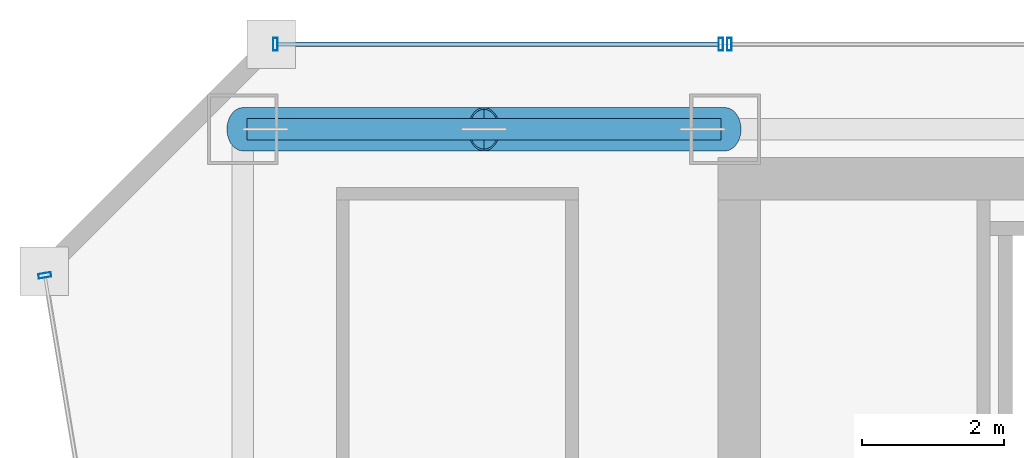
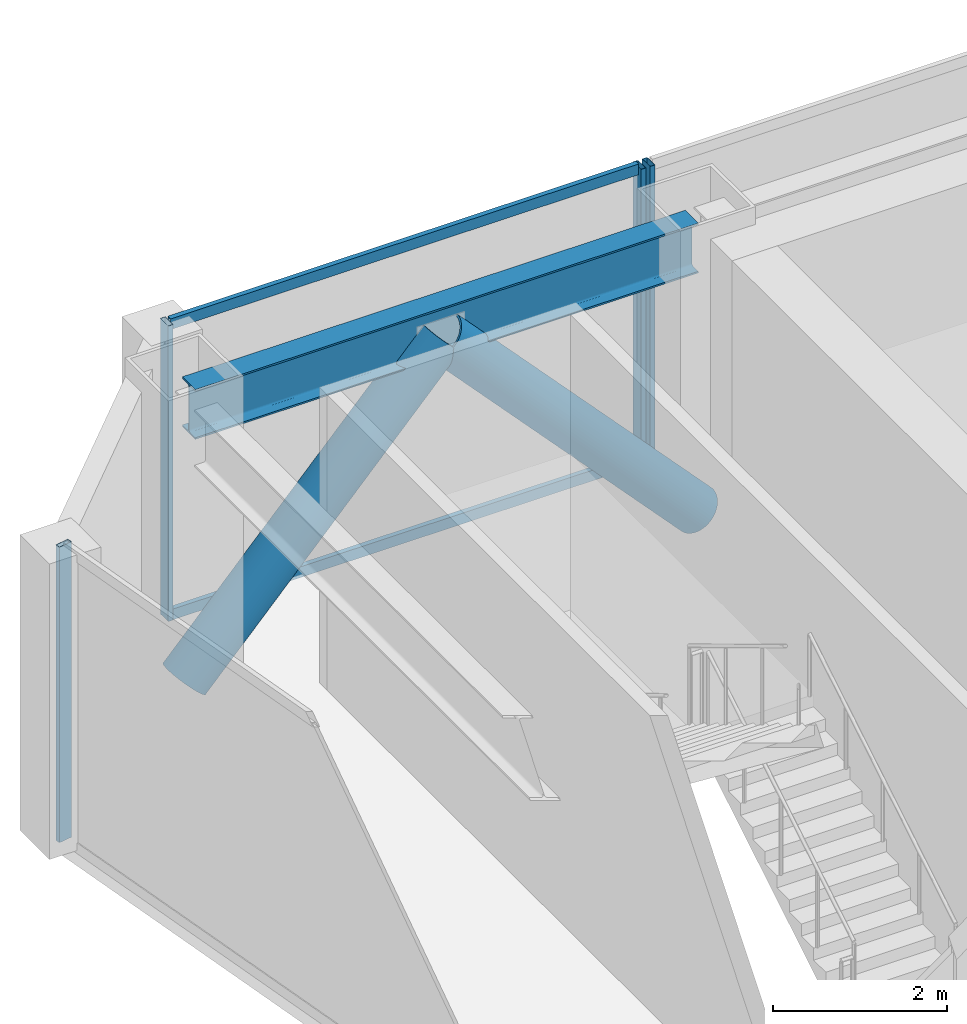
# One storey, part 19 of 35: 8 members, 1 beam, 3 elements without a shape of their own.
"""IFC4 building model written with IfcOpenShell, lengths in metres."""

from ifc_helpers import new_model, si_unit, direction, frame, origin, origin_2d, place, context, subcontext, project, spatial, hollow_rectangle, hollow_circle, i_section, extrude, material, material_profile, profile_set, type_object, element, aggregate, save


model = new_model("IFC4")

# Units and contexts
model_context = context("Model", 3, precision=1e-05, world=origin(), true_north=direction((0.0, 1.0)))
body_context = subcontext(model_context, "Body", "Model", "MODEL_VIEW")
ifc_project = project(units=[si_unit("LENGTHUNIT", "METRE"), si_unit("AREAUNIT", "SQUARE_METRE"), si_unit("VOLUMEUNIT", "CUBIC_METRE"), si_unit("PLANEANGLEUNIT", "RADIAN"), si_unit("MASSUNIT", "GRAM", prefix="KILO")], contexts=[model_context])

# Site, building, storey
site_placement = place(None, origin())
site = spatial("IfcSite", under=ifc_project, at=site_placement, CompositionType="ELEMENT")
building_placement = place(site_placement, origin())
building = spatial("IfcBuilding", under=site, at=building_placement, Name="Saevonmaru Cultural Tower", CompositionType="ELEMENT")
storey_placement = place(building_placement, frame((0.0, 0.0, 101.60009765625)))
storey = spatial("IfcBuildingStorey", under=building, at=storey_placement, Name="L21", CompositionType="ELEMENT", Elevation=101.60009765625)

# Beam
ifc_material_1 = material(Name="Steel SM355", Category="steel")
ifc_material_profile_1 = material_profile(ifc_material_1, i_section(OverallWidth=0.300048828125, OverallDepth=0.699951171875, WebThickness=0.012939453125, FlangeThickness=0.02392578125, FilletRadius=0.02587890625, at=origin_2d()), Name="H-700x300x13x24")
ifc_profile_set_1 = profile_set([ifc_material_profile_1], Name="Steel SM355")
beam_type = type_object("IfcBeamType", Name="BM-SP-H700", PredefinedType="SPANDREL", material=ifc_profile_set_1)
beam_placement = place(storey_placement, frame((6.860107421875, 54.800048828125, 3.7998046875), z_axis=(1.0, 0.0, 0.0), x_axis=(0.0, 1.0, 0.0)))
element("IfcBeam", 1, at=beam_placement, inside=storey, type_object=beam_type, Name="L21 North Spine Girder 1", PredefinedType="SPANDREL", context=body_context, shape_type="SweptSolid", body=[
    extrude(i_section(OverallWidth=0.300048828125, OverallDepth=0.699951171875, WebThickness=0.012939453125, FlangeThickness=0.02392578125, FilletRadius=0.02587890625, at=origin_2d()), origin(), (0.0, 0.0, 1.0), 6.679931640625),
])

# Members
ifc_material_2 = material(Name="Steel HSA600 (600 MPa)", Category="steel")
ifc_material_profile_2 = material_profile(ifc_material_2, hollow_circle(Radius=0.3046875, WallThickness=0.02490234375, at=origin_2d()), Name="CHS-609.6x25")
ifc_profile_set_2 = profile_set([ifc_material_profile_2], Name="Steel HSA600 (600 MPa)")
member_type_1 = type_object("IfcMemberType", Name="MB-PBR-CHS610", PredefinedType="BRACE", material=ifc_profile_set_2)
member_1_placement = place(storey_placement, frame((6.800048828125, 54.800048828125, 0.02001953125), z_axis=(0.681602937137, 0.0, 0.73172223971), x_axis=(0.0, 1.0, 0.0)))
element("IfcMember", 2, at=member_1_placement, inside=storey, type_object=member_type_1, Name="L21 Perimeter Braced-Tube Diagonal WN1", PredefinedType="BRACE", context=body_context, shape_type="SweptSolid", body=[
    extrude(hollow_circle(Radius=0.3046875, WallThickness=0.02490234375, at=origin_2d()), origin(), (0.0, 0.0, 1.0), 4.988037109375),
])
member_2_placement = place(storey_placement, frame((13.60009765625, 54.800048828125, 0.02001953125), z_axis=(-0.681629141635, 0.0, 0.731697829212), x_axis=(0.0, -1.0, 0.0)))
element("IfcMember", 3, at=member_2_placement, inside=storey, type_object=member_type_1, Name="L21 Perimeter Braced-Tube Diagonal WN2", PredefinedType="BRACE", context=body_context, shape_type="SweptSolid", body=[
    extrude(hollow_circle(Radius=0.3046875, WallThickness=0.02490234375, at=origin_2d()), origin(), (0.0, 0.0, 1.0), 4.98828125),
])

# Curtain wall, member
ifc_material_3 = material(Name="Satin Bronze Anodised Aluminium", Category="aluminium")
curtain_wall_type = type_object("IfcCurtainWallType", Name="CW-TYP-A", PredefinedType="NOTDEFINED", material=ifc_material_3)
curtain_wall_1_placement = place(storey_placement, origin())
curtain_wall_1 = element("IfcCurtainWall", 4, at=curtain_wall_1_placement, inside=storey, type_object=curtain_wall_type, Name="L21 North Spine Unitised Curtain Wall E10B", PredefinedType="NOTDEFINED")
ifc_material_profile_3 = material_profile(ifc_material_3, hollow_rectangle(XDim=0.06494140625, YDim=0.179931640625, WallThickness=0.00390625, at=origin_2d()), Name="ALU-MULL-180x65x4")
ifc_profile_set_3 = profile_set([ifc_material_profile_3], Name="Satin Bronze Anodised Aluminium")
member_type_2 = type_object("IfcMemberType", Name="ML-CW-180x65", PredefinedType="MULLION", material=ifc_profile_set_3)
member_3_placement = place(storey_placement, frame((13.659912109375, 56.0, 0.0), z_axis=(0.0, 0.0, 1.0), x_axis=(-1.0, 0.0, 0.0)))
member_3 = element("IfcMember", 5, at=member_3_placement, type_object=member_type_2, Name="CW-TW-L21-E10B mullion 4", PredefinedType="MULLION", context=body_context, shape_type="SweptSolid", body=[
    extrude(hollow_rectangle(XDim=0.06494140625, YDim=0.179931640625, WallThickness=0.00390625, at=origin_2d()), origin(), (0.0, 0.0, 1.0), 4.14990234375),
])
aggregate(curtain_wall_1, [member_3])

# Curtain wall, members
curtain_wall_2_placement = place(storey_placement, origin())
curtain_wall_2 = element("IfcCurtainWall", 6, at=curtain_wall_2_placement, inside=storey, type_object=curtain_wall_type, Name="L21 West Braced Bay Spandrel Curtain Wall E10C", PredefinedType="NOTDEFINED")
member_4_placement = place(storey_placement, frame((13.5400390625, 56.0, 0.0), z_axis=(0.0, 0.0, 1.0), x_axis=(-1.0, 0.0, 0.0)))
member_4 = element("IfcMember", 7, at=member_4_placement, type_object=member_type_2, Name="CW-TW-L21-E10C mullion 1", PredefinedType="MULLION", context=body_context, shape_type="SweptSolid", body=[
    extrude(hollow_rectangle(XDim=0.06494140625, YDim=0.179931640625, WallThickness=0.00390625, at=origin_2d()), origin(), (0.0, 0.0, 1.0), 4.14990234375),
])
member_5_placement = place(storey_placement, frame((7.260009765625, 56.0, 0.0), z_axis=(0.0, 0.0, 1.0), x_axis=(-1.0, 0.0, 0.0)))
member_5 = element("IfcMember", 8, at=member_5_placement, type_object=member_type_2, Name="CW-TW-L21-E10C mullion 2", PredefinedType="MULLION", context=body_context, shape_type="SweptSolid", body=[
    extrude(hollow_rectangle(XDim=0.06494140625, YDim=0.179931640625, WallThickness=0.00390625, at=origin_2d()), origin(), (0.0, 0.0, 1.0), 4.14990234375),
])

# Curtain wall, member
curtain_wall_3_placement = place(storey_placement, origin())
curtain_wall_3 = element("IfcCurtainWall", 9, at=curtain_wall_3_placement, inside=storey, type_object=curtain_wall_type, Name="L21 Unitised Curtain Wall E12", PredefinedType="NOTDEFINED")
member_6_placement = place(storey_placement, frame((4.009765625, 52.74072265625, 0.0), z_axis=(0.0, 0.0, 1.0), x_axis=(0.163998702345, -0.986460554523, 0.0)))
member_6 = element("IfcMember", 10, at=member_6_placement, type_object=member_type_2, Name="CW-TW-L21-E12 mullion 1", PredefinedType="MULLION", context=body_context, shape_type="SweptSolid", body=[
    extrude(hollow_rectangle(XDim=0.06494140625, YDim=0.179931640625, WallThickness=0.00390625, at=origin_2d()), origin(), (0.0, 0.0, 1.0), 4.14990234375),
])
aggregate(curtain_wall_3, [member_6])

# Member
ifc_material_profile_4 = material_profile(ifc_material_3, hollow_rectangle(XDim=0.06494140625, YDim=0.14990234375, WallThickness=0.00390625, at=origin_2d()), Name="ALU-TRAN-150x65x4")
ifc_profile_set_4 = profile_set([ifc_material_profile_4], Name="Satin Bronze Anodised Aluminium")
member_type_3 = type_object("IfcMemberType", Name="TR-CW-150x65", PredefinedType="USERDEFINED", material=ifc_profile_set_4)
member_7_placement = place(storey_placement, frame((13.507568359375, 56.0, 0.032470703125), z_axis=(-1.0, 0.0, 0.0), x_axis=(0.0, -1.0, 0.0)))
member_7 = element("IfcMember", 11, at=member_7_placement, type_object=member_type_3, Name="CW-TW-L21-E10C transom 1.1", ObjectType="TRANSOM", PredefinedType="USERDEFINED", context=body_context, shape_type="SweptSolid", body=[
    extrude(hollow_rectangle(XDim=0.06494140625, YDim=0.14990234375, WallThickness=0.00390625, at=origin_2d()), origin(), (0.0, 0.0, 1.0), 6.215087890625),
])

member_8_placement = place(storey_placement, frame((13.507568359375, 56.0, 4.117431640625), z_axis=(-1.0, 0.0, 0.0), x_axis=(0.0, -1.0, 0.0)))
member_8 = element("IfcMember", 12, at=member_8_placement, type_object=member_type_3, Name="CW-TW-L21-E10C transom 1.2", ObjectType="TRANSOM", PredefinedType="USERDEFINED", context=body_context, shape_type="SweptSolid", body=[
    extrude(hollow_rectangle(XDim=0.06494140625, YDim=0.14990234375, WallThickness=0.00390625, at=origin_2d()), origin(), (0.0, 0.0, 1.0), 6.215087890625),
])

aggregate(curtain_wall_2, [member_4, member_5, member_7, member_8])

save(model, "model.ifc")
